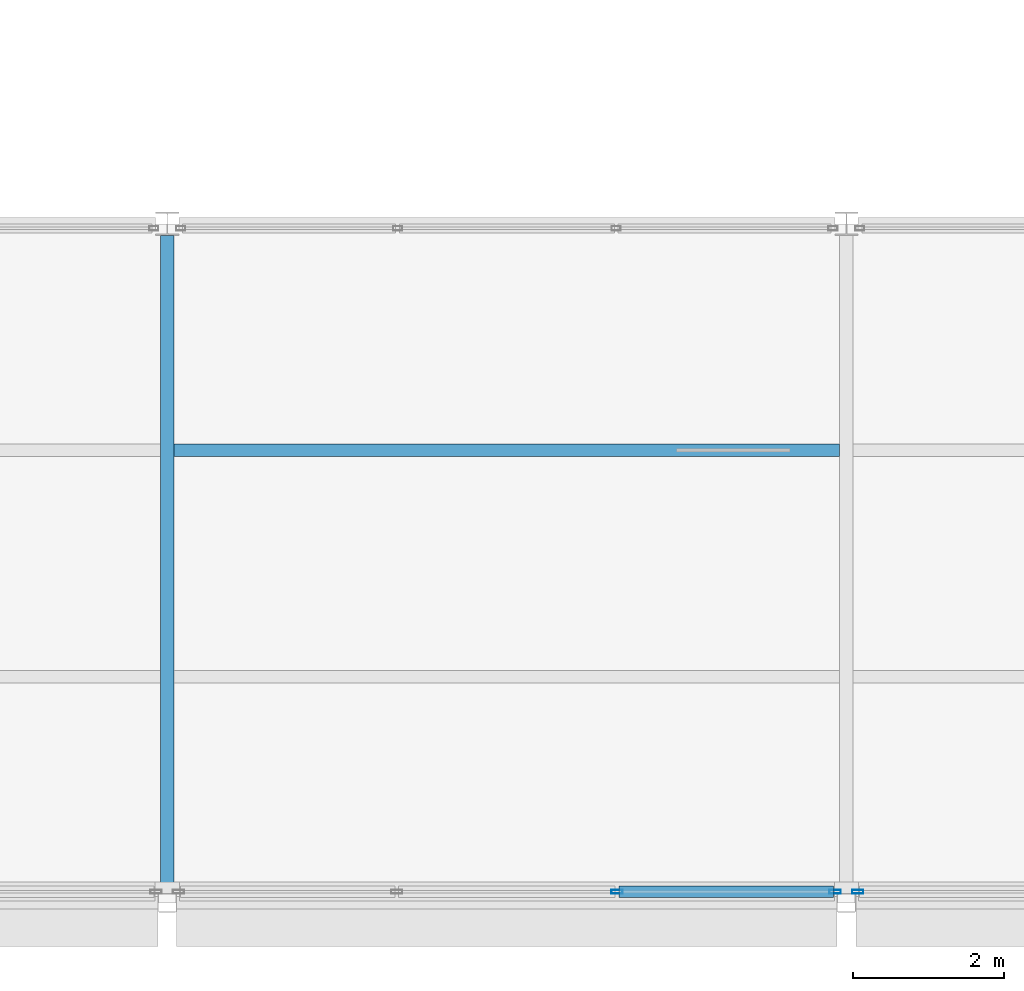
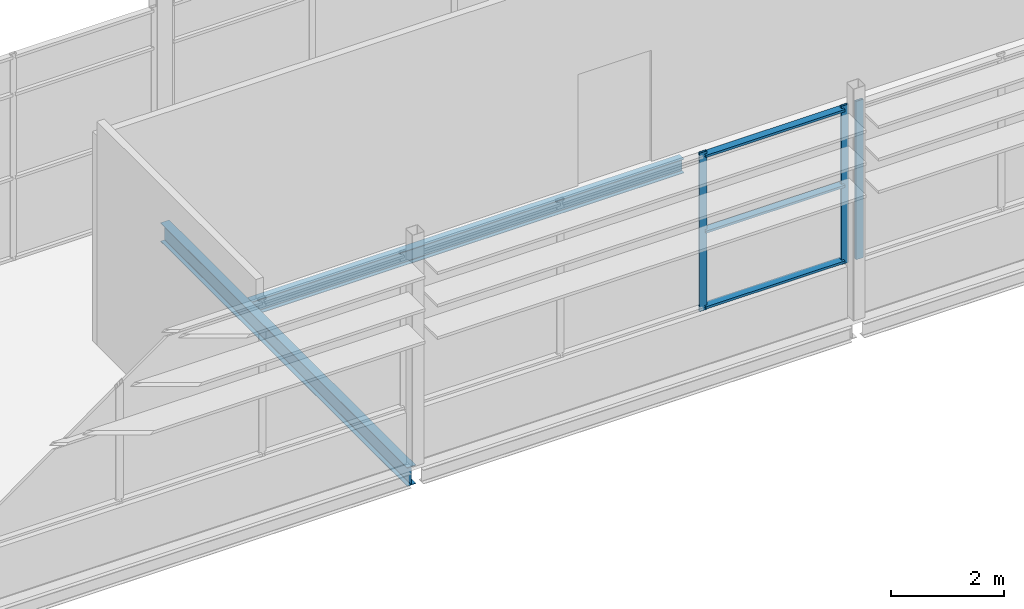
# One storey, part 15 of 94: 6 members, 2 beams, 2 elements without a shape of their own.
"""IFC4 building model written with IfcOpenShell, lengths in metres."""

from ifc_helpers import new_model, si_unit, direction, frame, origin, origin_2d, place, context, subcontext, project, spatial, hollow_rectangle, i_section, extrude, material, layer, layer_set, material_profile, profile_set, type_object, element, aggregate, save


model = new_model("IFC4")

# Units and contexts
model_context = context("Model", 3, precision=1e-05, world=origin(), true_north=direction((0.0, 1.0)))
body_context = subcontext(model_context, "Body", "Model", "MODEL_VIEW")
ifc_project = project(units=[si_unit("LENGTHUNIT", "METRE"), si_unit("AREAUNIT", "SQUARE_METRE"), si_unit("VOLUMEUNIT", "CUBIC_METRE"), si_unit("PLANEANGLEUNIT", "RADIAN"), si_unit("MASSUNIT", "GRAM", prefix="KILO")], contexts=[model_context])

# Site, building, storey
site_placement = place(None, origin())
site = spatial("IfcSite", under=ifc_project, at=site_placement, CompositionType="ELEMENT")
building_placement = place(site_placement, origin())
building = spatial("IfcBuilding", under=site, at=building_placement, Name="Shorebreak Coast Museum", CompositionType="ELEMENT")
storey_placement = place(building_placement, frame((0.0, 0.0, 31.0)))
storey = spatial("IfcBuildingStorey", under=building, at=storey_placement, Name="L05", CompositionType="ELEMENT", Elevation=31.0)

# Beams
ifc_material_1 = material(Name="Steel Grade 300", Category="steel")
ifc_material_profile_1 = material_profile(ifc_material_1, i_section(OverallWidth=0.177978515625, OverallDepth=0.406494140625, WebThickness=0.0078125, FlangeThickness=0.0126953125, FilletRadius=0.011474609375, at=origin_2d()), Name="410UB59.7")
ifc_profile_set_1 = profile_set([ifc_material_profile_1], Name="Steel Grade 300")
beam_type_1 = type_object("IfcBeamType", Name="Floor girder north-south 410UB59.7", PredefinedType="BEAM", material=ifc_profile_set_1)
beam_1_placement = place(storey_placement, frame((72.0, 54.125, -0.378173828125), z_axis=(0.0, 1.0, 0.0), x_axis=(-1.0, 0.0, 0.0)))
element("IfcBeam", 1, at=beam_1_placement, inside=storey, type_object=beam_type_1, Name="Floor girder north-south L05 9G", PredefinedType="BEAM", context=body_context, shape_type="SweptSolid", body=[
    extrude(i_section(OverallWidth=0.177978515625, OverallDepth=0.406494140625, WebThickness=0.0078125, FlangeThickness=0.0126953125, FilletRadius=0.011474609375, at=origin_2d()), origin(), (0.0, 0.0, 1.0), 8.7177734375),
])
ifc_material_2 = material(Name="Steel Grade 300", Category="steel")
ifc_material_profile_2 = material_profile(ifc_material_2, i_section(OverallWidth=0.1650390625, OverallDepth=0.303955078125, WebThickness=0.006103515625, FlangeThickness=0.01025390625, FilletRadius=0.011474609375, at=origin_2d()), Name="310UB40.4")
ifc_profile_set_2 = profile_set([ifc_material_profile_2], Name="Steel Grade 300")
beam_type_2 = type_object("IfcBeamType", Name="Floor joist 310UB40.4", PredefinedType="JOIST", material=ifc_profile_set_2)
beam_2_placement = place(storey_placement, frame((72.089111328125, 60.0, -0.326904296875), z_axis=(1.0, 0.0, 0.0), x_axis=(0.0, 1.0, 0.0)))
element("IfcBeam", 2, at=beam_2_placement, inside=storey, type_object=beam_type_2, Name="Floor joist L05 bay 9G at 6000 mm", PredefinedType="JOIST", context=body_context, shape_type="SweptSolid", body=[
    extrude(i_section(OverallWidth=0.1650390625, OverallDepth=0.303955078125, WebThickness=0.006103515625, FlangeThickness=0.01025390625, FilletRadius=0.011474609375, at=origin_2d()), origin(), (0.0, 0.0, 1.0), 8.82177734375),
])

# Curtain wall, members
ifc_material_3 = material(Name="Aluminium", Category="aluminium")
ifc_layer = layer(ifc_material_3, 0.14990234375)
ifc_layer_set = layer_set([ifc_layer], Name="Aluminium")
curtain_wall_type = type_object("IfcCurtainWallType", Name="Storefront curtain wall", PredefinedType="NOTDEFINED", material=ifc_layer_set)
curtain_wall_1_placement = place(storey_placement, origin())
curtain_wall_1 = element("IfcCurtainWall", 3, at=curtain_wall_1_placement, inside=storey, type_object=curtain_wall_type, Name="Atrium Hall glazing L05 S 14", PredefinedType="NOTDEFINED")
ifc_material_4 = material(Name="Aluminium", Category="aluminium")
ifc_material_profile_3 = material_profile(ifc_material_4, hollow_rectangle(XDim=0.050048828125, YDim=0.14990234375, WallThickness=0.00390625, at=origin_2d()), Name="AL 150x50 RHS")
ifc_profile_set_3 = profile_set([ifc_material_profile_3], Name="Aluminium")
member_type_1 = type_object("IfcMemberType", Name="Storefront mullion 50 x 150", PredefinedType="MULLION", material=ifc_profile_set_3)
member_1_placement = place(storey_placement, frame((77.958251953125, 54.14990234375, 1.10009765625), z_axis=(0.0, 0.0, 1.0), x_axis=(0.0, 1.0, 0.0)))
member_1 = element("IfcMember", 4, at=member_1_placement, type_object=member_type_1, Name="CW5 mullion 3", PredefinedType="MULLION", context=body_context, shape_type="SweptSolid", body=[
    extrude(hollow_rectangle(XDim=0.050048828125, YDim=0.14990234375, WallThickness=0.00390625, at=origin_2d()), origin(), (0.0, 0.0, 1.0), 3.417724609375),
])
member_2_placement = place(storey_placement, frame((80.85009765625, 54.14990234375, 1.10009765625), z_axis=(0.0, 0.0, 1.0), x_axis=(0.0, 1.0, 0.0)))
member_2 = element("IfcMember", 5, at=member_2_placement, type_object=member_type_1, Name="CW5 mullion 4", PredefinedType="MULLION", context=body_context, shape_type="SweptSolid", body=[
    extrude(hollow_rectangle(XDim=0.050048828125, YDim=0.14990234375, WallThickness=0.00390625, at=origin_2d()), origin(), (0.0, 0.0, 1.0), 3.417724609375),
])

# Curtain wall, member
curtain_wall_2_placement = place(storey_placement, origin())
curtain_wall_2 = element("IfcCurtainWall", 6, at=curtain_wall_2_placement, inside=storey, type_object=curtain_wall_type, Name="Atrium Hall glazing L05 S 15", PredefinedType="NOTDEFINED")
member_3_placement = place(storey_placement, frame((81.14990234375, 54.14990234375, 1.10009765625), z_axis=(0.0, 0.0, 1.0), x_axis=(0.0, 1.0, 0.0)))
member_3 = element("IfcMember", 7, at=member_3_placement, type_object=member_type_1, Name="CW5 mullion 1", PredefinedType="MULLION", context=body_context, shape_type="SweptSolid", body=[
    extrude(hollow_rectangle(XDim=0.050048828125, YDim=0.14990234375, WallThickness=0.00390625, at=origin_2d()), origin(), (0.0, 0.0, 1.0), 3.417724609375),
])
aggregate(curtain_wall_2, [member_3])

# Member
ifc_material_5 = material(Name="Aluminium", Category="aluminium")
ifc_material_profile_4 = material_profile(ifc_material_5, hollow_rectangle(XDim=0.14990234375, YDim=0.050048828125, WallThickness=0.00390625, at=origin_2d()), Name="AL 50x150 RHS")
ifc_profile_set_4 = profile_set([ifc_material_profile_4], Name="Aluminium")
member_type_2 = type_object("IfcMemberType", Name="Storefront transom 150 x 50", PredefinedType="USERDEFINED", material=ifc_profile_set_4)
member_4_placement = place(storey_placement, frame((77.9833984375, 54.14990234375, 1.175048828125), z_axis=(1.0, 0.0, 0.0), x_axis=(0.0, 1.0, 0.0)))
member_4 = element("IfcMember", 8, at=member_4_placement, type_object=member_type_2, Name="CW5 transom 3.1", ObjectType="TRANSOM", PredefinedType="USERDEFINED", context=body_context, shape_type="SweptSolid", body=[
    extrude(hollow_rectangle(XDim=0.14990234375, YDim=0.050048828125, WallThickness=0.00390625, at=origin_2d()), origin(), (0.0, 0.0, 1.0), 2.841552734375),
])

member_5_placement = place(storey_placement, frame((77.9833984375, 54.14990234375, 2.808837890625), z_axis=(1.0, 0.0, 0.0), x_axis=(0.0, 1.0, 0.0)))
member_5 = element("IfcMember", 9, at=member_5_placement, type_object=member_type_2, Name="CW5 transom 3.2", ObjectType="TRANSOM", PredefinedType="USERDEFINED", context=body_context, shape_type="SweptSolid", body=[
    extrude(hollow_rectangle(XDim=0.14990234375, YDim=0.050048828125, WallThickness=0.00390625, at=origin_2d()), origin(), (0.0, 0.0, 1.0), 2.841552734375),
])

member_6_placement = place(storey_placement, frame((77.9833984375, 54.14990234375, 4.44287109375), z_axis=(1.0, 0.0, 0.0), x_axis=(0.0, 1.0, 0.0)))
member_6 = element("IfcMember", 10, at=member_6_placement, type_object=member_type_2, Name="CW5 transom 3.3", ObjectType="TRANSOM", PredefinedType="USERDEFINED", context=body_context, shape_type="SweptSolid", body=[
    extrude(hollow_rectangle(XDim=0.14990234375, YDim=0.050048828125, WallThickness=0.00390625, at=origin_2d()), origin(), (0.0, 0.0, 1.0), 2.841552734375),
])

aggregate(curtain_wall_1, [member_1, member_2, member_4, member_5, member_6])

save(model, "model.ifc")
